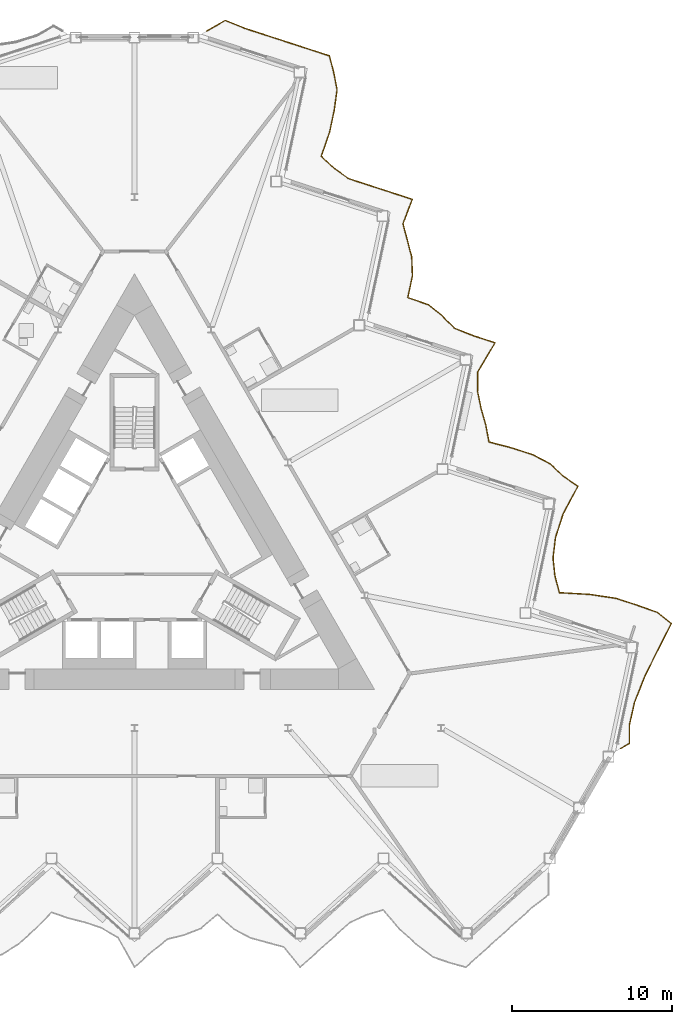
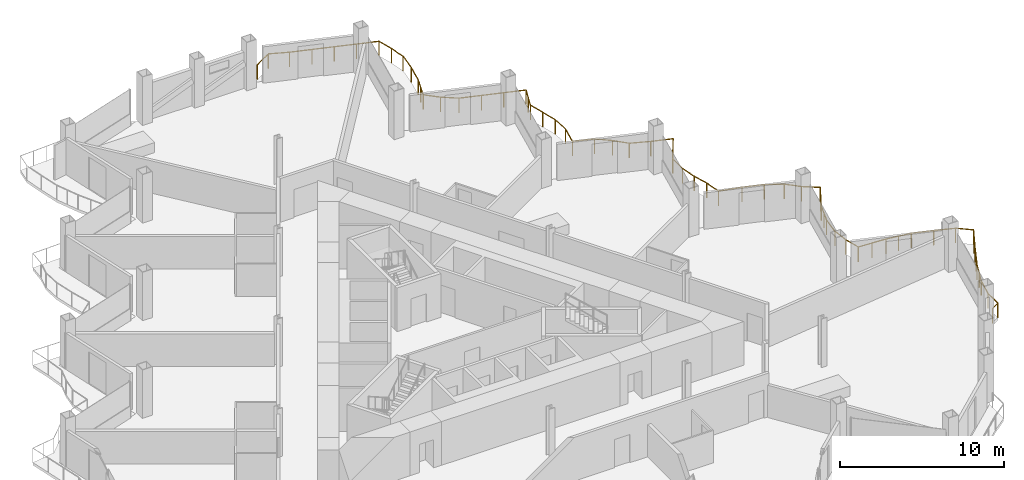
# One storey, part 21 of 23: 1 railing.
"""IFC4 building model written with IfcOpenShell, lengths in metres."""

from ifc_helpers import new_model, si_unit, direction, frame, origin, origin_2d, place, context, subcontext, project, spatial, circle, extrude, material, type_object, element, save


model = new_model("IFC4")

# Units and contexts
model_context = context("Model", 3, precision=1e-05, world=origin(), true_north=direction((0.0, 1.0)))
body_context = subcontext(model_context, "Body", "Model", "MODEL_VIEW")
ifc_project = project(units=[si_unit("LENGTHUNIT", "METRE"), si_unit("AREAUNIT", "SQUARE_METRE"), si_unit("VOLUMEUNIT", "CUBIC_METRE"), si_unit("PLANEANGLEUNIT", "RADIAN"), si_unit("MASSUNIT", "GRAM", prefix="KILO")], contexts=[model_context])

# Site, building, storey
site_placement = place(None, origin())
site = spatial("IfcSite", under=ifc_project, at=site_placement, CompositionType="ELEMENT")
building_placement = place(site_placement, origin())
building = spatial("IfcBuilding", under=site, at=building_placement, Name="Cormorant Prow Tower", CompositionType="ELEMENT")
storey_placement = place(building_placement, frame((0.0, 0.0, 245.39990234375)))
storey = spatial("IfcBuildingStorey", under=building, at=storey_placement, Name="L54", CompositionType="ELEMENT", Elevation=245.39990234375)

# Railing
ifc_material = material(Name="Aluminium 6063-T6", Category="aluminium")
railing_type = type_object("IfcRailingType", Name="Balcony guard 1100", PredefinedType="GUARDRAIL", material=ifc_material)
railing_placement = place(storey_placement, frame((30.37939453125, -12.34228515625, 0.0)))
element("IfcRailing", 1, at=railing_placement, inside=storey, type_object=railing_type, Name="Balcony guard ENE", PredefinedType="GUARDRAIL", context=body_context, shape_type="SweptSolid", body=[
    extrude(circle(Radius=0.02392578125, at=origin_2d()), frame((0.0, 0.0, 1.076171875), z_axis=(0.866204753408, 0.499689228594, 0.0), x_axis=(-0.499689228594, 0.866204753408, 0.0)), (0.0, 0.0, 1.0), 0.63623046875),
    extrude(circle(Radius=0.02392578125, at=origin_2d()), frame((0.551025390625, 0.31787109375, 1.076171875), z_axis=(0.002650887913, 0.99999648639, 0.0), x_axis=(-0.99999648639, 0.002650887913, 0.0)), (0.0, 0.0, 1.0), 1.197265625),
    extrude(circle(Radius=0.02392578125, at=origin_2d()), frame((0.55419921875, 1.51513671875, 1.076171875), z_axis=(0.220085341787, 0.975480621197, 0.0), x_axis=(-0.975480621197, 0.220085341787, 0.0)), (0.0, 0.0, 1.0), 1.40869140625),
    extrude(circle(Radius=0.02392578125, at=origin_2d()), frame((0.8642578125, 2.889404296875, 1.076171875), z_axis=(0.367163194895, 0.930156539683, 0.0), x_axis=(-0.930156539683, 0.367163194895, 0.0)), (0.0, 0.0, 1.0), 1.664306640625),
    extrude(circle(Radius=0.02392578125, at=origin_2d()), frame((1.475341796875, 4.4375, 1.076171875), z_axis=(0.440524924074, 0.897740380773, 0.0), x_axis=(-0.897740380773, 0.440524924074, 0.0)), (0.0, 0.0, 1.0), 1.857666015625),
    extrude(circle(Radius=0.02392578125, at=origin_2d()), frame((2.293701171875, 6.105224609375, 1.076171875), z_axis=(0.456399746897, 0.889774842886, 0.0), x_axis=(-0.889774842886, 0.456399746897, 0.0)), (0.0, 0.0, 1.0), 1.90869140625),
    extrude(circle(Radius=0.02392578125, at=origin_2d()), frame((3.164794921875, 7.803466796875, 1.076171875), z_axis=(-0.776161170753, 0.630534564489, 0.0), x_axis=(-0.630534564489, -0.776161170753, 0.0)), (0.0, 0.0, 1.0), 1.108154296875),
    extrude(circle(Radius=0.02392578125, at=origin_2d()), frame((2.3046875, 8.502197265625, 1.076171875), z_axis=(-0.942017958737, 0.335562461274, 0.0), x_axis=(-0.335562461274, -0.942017958737, 0.0)), (0.0, 0.0, 1.0), 1.359130859375),
    extrude(circle(Radius=0.02392578125, at=origin_2d()), frame((1.0244140625, 8.958251953125, 1.076171875), z_axis=(-0.951073984581, 0.308963227348, 0.0), x_axis=(-0.308963227348, -0.951073984581, 0.0)), (0.0, 0.0, 1.0), 1.39306640625),
    extrude(circle(Radius=0.02392578125, at=origin_2d()), frame((-0.300537109375, 9.388671875, 1.076171875), z_axis=(-0.989086538107, 0.147335739504, 0.0), x_axis=(-0.147335739504, -0.989086538107, 0.0)), (0.0, 0.0, 1.0), 1.66357421875),
    extrude(circle(Radius=0.02392578125, at=origin_2d()), frame((-1.946044921875, 9.6337890625, 1.076171875), z_axis=(-0.99835465144, 0.057340997094, 0.0), x_axis=(-0.057340997094, -0.99835465144, 0.0)), (0.0, 0.0, 1.0), 1.88623046875),
    extrude(circle(Radius=0.02392578125, at=origin_2d()), frame((-3.8291015625, 9.741943359375, 1.076171875), z_axis=(-0.259066355454, 0.965859525745, 0.0), x_axis=(-0.965859525745, -0.259066355454, 0.0)), (0.0, 0.0, 1.0), 1.071533203125),
    extrude(circle(Radius=0.02392578125, at=origin_2d()), frame((-4.106689453125, 10.77685546875, 1.076171875), z_axis=(-0.106974798109, 0.994261732427, 0.0), x_axis=(-0.994261732427, -0.106974798109, 0.0)), (0.0, 0.0, 1.0), 1.132080078125),
    extrude(circle(Radius=0.02392578125, at=origin_2d()), frame((-4.227783203125, 11.90234375, 1.076171875), z_axis=(0.120320103342, 0.992735147324, 0.0), x_axis=(-0.992735147324, 0.120320103342, 0.0)), (0.0, 0.0, 1.0), 1.294677734375),
    extrude(circle(Radius=0.02392578125, at=origin_2d()), frame((-4.072021484375, 13.1875, 1.076171875), z_axis=(0.305752765187, 0.95211094237, 0.0), x_axis=(-0.95211094237, 0.305752765187, 0.0)), (0.0, 0.0, 1.0), 1.541015625),
    extrude(circle(Radius=0.02392578125, at=origin_2d()), frame((-3.600830078125, 14.65478515625, 1.076171875), z_axis=(0.472907071696, 0.881112309266, 0.0), x_axis=(-0.881112309266, 0.472907071696, 0.0)), (0.0, 0.0, 1.0), 1.9658203125),
    extrude(circle(Radius=0.02392578125, at=origin_2d()), frame((-2.671142578125, 16.386962890625, 1.076171875), z_axis=(-0.823195618549, 0.567757847679, 0.0), x_axis=(-0.567757847679, -0.823195618549, 0.0)), (0.0, 0.0, 1.0), 1.14599609375),
    extrude(circle(Radius=0.02392578125, at=origin_2d()), frame((-3.614501953125, 17.03759765625, 1.076171875), z_axis=(-0.725298634831, 0.688434376185, 0.0), x_axis=(-0.688434376185, -0.725298634831, 0.0)), (0.0, 0.0, 1.0), 1.07958984375),
    extrude(circle(Radius=0.02392578125, at=origin_2d()), frame((-4.3974609375, 17.78076171875, 1.076171875), z_axis=(-0.883286506588, 0.468833602976, 0.0), x_axis=(-0.468833602976, -0.883286506588, 0.0)), (0.0, 0.0, 1.0), 1.22119140625),
    extrude(circle(Radius=0.02392578125, at=origin_2d()), frame((-5.47607421875, 18.353271484375, 1.076171875), z_axis=(-0.951057251471, 0.309014731726, 0.0), x_axis=(-0.309014731726, -0.951057251471, 0.0)), (0.0, 0.0, 1.0), 1.392822265625),
    extrude(circle(Radius=0.02392578125, at=origin_2d()), frame((-6.80078125, 18.78369140625, 1.076171875), z_axis=(-0.967831374767, 0.251599741687, 0.0), x_axis=(-0.251599741687, -0.967831374767, 0.0)), (0.0, 0.0, 1.0), 1.474853515625),
    extrude(circle(Radius=0.02392578125, at=origin_2d()), frame((-8.228271484375, 19.15478515625, 1.076171875), z_axis=(-0.185403804057, 0.982662418861, 0.0), x_axis=(-0.982662418861, -0.185403804057, 0.0)), (0.0, 0.0, 1.0), 1.096923828125),
    extrude(circle(Radius=0.02392578125, at=origin_2d()), frame((-8.431640625, 20.232666015625, 1.076171875), z_axis=(-0.27674611135, 0.960943073159, 0.0), x_axis=(-0.960943073159, -0.27674611135, 0.0)), (0.0, 0.0, 1.0), 1.066650390625),
    extrude(circle(Radius=0.02392578125, at=origin_2d()), frame((-8.726806640625, 21.257568359375, 1.076171875), z_axis=(-0.197620585875, 0.980278584913, 0.0), x_axis=(-0.980278584913, -0.197620585875, 0.0)), (0.0, 0.0, 1.0), 1.092041015625),
    extrude(circle(Radius=0.02392578125, at=origin_2d()), frame((-8.942626953125, 22.328125, 1.076171875), z_axis=(0.008737727797, 0.999961825328, 0.0), x_axis=(-0.999961825328, 0.008737727797, 0.0)), (0.0, 0.0, 1.0), 1.201416015625),
    extrude(circle(Radius=0.02392578125, at=origin_2d()), frame((-8.93212890625, 23.529541015625, 1.076171875), z_axis=(0.511801559716, 0.859103697741, 0.0), x_axis=(-0.859103697741, 0.511801559716, 0.0)), (0.0, 0.0, 1.0), 2.120849609375),
    extrude(circle(Radius=0.02392578125, at=origin_2d()), frame((-7.8466796875, 25.3515625, 1.076171875), z_axis=(-0.951057251471, 0.309014731726, 0.0), x_axis=(-0.309014731726, -0.951057251471, 0.0)), (0.0, 0.0, 1.0), 1.392822265625),
    extrude(circle(Radius=0.02392578125, at=origin_2d()), frame((-9.17138671875, 25.781982421875, 1.076171875), z_axis=(-0.930461790481, 0.366388941501, 0.0), x_axis=(-0.366388941501, -0.930461790481, 0.0)), (0.0, 0.0, 1.0), 1.32275390625),
    extrude(circle(Radius=0.02392578125, at=origin_2d()), frame((-10.402099609375, 26.2666015625, 1.076171875), z_axis=(-0.696859617534, 0.717207552561, 0.0), x_axis=(-0.717207552561, -0.696859617534, 0.0)), (0.0, 0.0, 1.0), 1.06787109375),
    extrude(circle(Radius=0.02392578125, at=origin_2d()), frame((-11.146240234375, 27.032470703125, 1.076171875), z_axis=(-0.779386199189, 0.626543815319, 0.0), x_axis=(-0.626543815319, -0.779386199189, 0.0)), (0.0, 0.0, 1.0), 1.110107421875),
    extrude(circle(Radius=0.02392578125, at=origin_2d()), frame((-12.011474609375, 27.72802734375, 1.076171875), z_axis=(-0.944047606344, 0.329809212966, 0.0), x_axis=(-0.329809212966, -0.944047606344, 0.0)), (0.0, 0.0, 1.0), 1.366455078125),
    extrude(circle(Radius=0.02392578125, at=origin_2d()), frame((-13.301513671875, 28.1787109375, 1.076171875), z_axis=(0.208032727926, 0.978121865675, 0.0), x_axis=(-0.978121865675, 0.208032727926, 0.0)), (0.0, 0.0, 1.0), 1.39306640625),
    extrude(circle(Radius=0.02392578125, at=origin_2d()), frame((-13.01171875, 29.541259765625, 1.076171875), z_axis=(-0.038176741848, 0.999271002472, 0.0), x_axis=(-0.999271002472, -0.038176741848, 0.0)), (0.0, 0.0, 1.0), 1.170166015625),
    extrude(circle(Radius=0.02392578125, at=origin_2d()), frame((-13.056396484375, 30.710693359375, 1.076171875), z_axis=(-0.25269039223, 0.967547190412, 0.0), x_axis=(-0.967547190412, -0.25269039223, 0.0)), (0.0, 0.0, 1.0), 1.073486328125),
    extrude(circle(Radius=0.02392578125, at=origin_2d()), frame((-13.32763671875, 31.749267578125, 1.076171875), z_axis=(-0.256812329008, 0.966461291346, 0.0), x_axis=(-0.966461291346, -0.256812329008, 0.0)), (0.0, 0.0, 1.0), 1.072265625),
    extrude(circle(Radius=0.02392578125, at=origin_2d()), frame((-13.60302734375, 32.78564453125, 1.076171875), z_axis=(0.354667722284, 0.934992410007, 0.0), x_axis=(-0.934992410007, 0.354667722284, 0.0)), (0.0, 0.0, 1.0), 1.636962890625),
    extrude(circle(Radius=0.02392578125, at=origin_2d()), frame((-13.0224609375, 34.316162109375, 1.076171875), z_axis=(-0.951057251471, 0.309014731726, 0.0), x_axis=(-0.309014731726, -0.951057251471, 0.0)), (0.0, 0.0, 1.0), 1.392822265625),
    extrude(circle(Radius=0.02392578125, at=origin_2d()), frame((-14.34716796875, 34.74658203125, 1.076171875), z_axis=(-0.951057251471, 0.309014731726, 0.0), x_axis=(-0.309014731726, -0.951057251471, 0.0)), (0.0, 0.0, 1.0), 1.392822265625),
    extrude(circle(Radius=0.02392578125, at=origin_2d()), frame((-15.671875, 35.177001953125, 1.076171875), z_axis=(-0.951057251471, 0.309014731726, 0.0), x_axis=(-0.309014731726, -0.951057251471, 0.0)), (0.0, 0.0, 1.0), 1.392822265625),
    extrude(circle(Radius=0.02392578125, at=origin_2d()), frame((-16.99658203125, 35.607421875, 1.076171875), z_axis=(-0.814977832879, 0.579492132747, 0.0), x_axis=(-0.579492132747, -0.814977832879, 0.0)), (0.0, 0.0, 1.0), 1.138427734375),
    extrude(circle(Radius=0.02392578125, at=origin_2d()), frame((-17.92431640625, 36.26708984375, 1.076171875), z_axis=(-0.727695719565, 0.685900094567, 0.0), x_axis=(-0.685900094567, -0.727695719565, 0.0)), (0.0, 0.0, 1.0), 1.08056640625),
    extrude(circle(Radius=0.02392578125, at=origin_2d()), frame((-18.710693359375, 37.00830078125, 1.076171875), z_axis=(0.329863576725, 0.944028612252, 0.0), x_axis=(-0.944028612252, 0.329863576725, 0.0)), (0.0, 0.0, 1.0), 1.586181640625),
    extrude(circle(Radius=0.02392578125, at=origin_2d()), frame((-18.1875, 38.505615234375, 1.076171875), z_axis=(0.207865044312, 0.978157514592, 0.0), x_axis=(-0.978157514592, 0.207865044312, 0.0)), (0.0, 0.0, 1.0), 1.39306640625),
    extrude(circle(Radius=0.02392578125, at=origin_2d()), frame((-17.89794921875, 39.8681640625, 1.076171875), z_axis=(0.134838558459, 0.990867581038, 0.0), x_axis=(-0.990867581038, 0.134838558459, 0.0)), (0.0, 0.0, 1.0), 1.30908203125),
    extrude(circle(Radius=0.02392578125, at=origin_2d()), frame((-17.721435546875, 41.165283203125, 1.076171875), z_axis=(-0.189938725349, 0.981795946525, 0.0), x_axis=(-0.981795946525, -0.189938725349, 0.0)), (0.0, 0.0, 1.0), 1.09521484375),
    extrude(circle(Radius=0.02392578125, at=origin_2d()), frame((-17.929443359375, 42.240478515625, 1.076171875), z_axis=(-0.250173509291, 0.968201020062, 0.0), x_axis=(-0.968201020062, -0.250173509291, 0.0)), (0.0, 0.0, 1.0), 1.074462890625),
    extrude(circle(Radius=0.02392578125, at=origin_2d()), frame((-18.1982421875, 43.28076171875, 1.076171875), z_axis=(-0.951057251471, 0.309014731726, 0.0), x_axis=(-0.309014731726, -0.951057251471, 0.0)), (0.0, 0.0, 1.0), 1.392822265625),
    extrude(circle(Radius=0.02392578125, at=origin_2d()), frame((-19.52294921875, 43.711181640625, 1.076171875), z_axis=(-0.951057251471, 0.309014731726, 0.0), x_axis=(-0.309014731726, -0.951057251471, 0.0)), (0.0, 0.0, 1.0), 1.392822265625),
    extrude(circle(Radius=0.02392578125, at=origin_2d()), frame((-20.84765625, 44.1416015625, 1.076171875), z_axis=(-0.951057251471, 0.309014731726, 0.0), x_axis=(-0.309014731726, -0.951057251471, 0.0)), (0.0, 0.0, 1.0), 1.392822265625),
    extrude(circle(Radius=0.02392578125, at=origin_2d()), frame((-22.17236328125, 44.572021484375, 1.076171875), z_axis=(-0.951073984581, 0.308963227348, 0.0), x_axis=(-0.308963227348, -0.951073984581, 0.0)), (0.0, 0.0, 1.0), 1.39306640625),
    extrude(circle(Radius=0.02392578125, at=origin_2d()), frame((-23.497314453125, 45.00244140625, 1.076171875), z_axis=(-0.926434113038, 0.376456948666, 0.0), x_axis=(-0.376456948666, -0.926434113038, 0.0)), (0.0, 0.0, 1.0), 1.311279296875),
    extrude(circle(Radius=0.02392578125, at=origin_2d()), frame((-24.712158203125, 45.49609375, 1.076171875), z_axis=(-0.866104076882, -0.499863709433, 0.0), x_axis=(0.499863709433, -0.866104076882, 0.0)), (0.0, 0.0, 1.0), 1.3466796875),
    extrude(circle(Radius=0.02099609375, at=origin_2d()), origin(), (0.0, 0.0, 1.0), 1.052001953125),
    extrude(circle(Radius=0.02099609375, at=origin_2d()), frame((0.551025390625, 0.31787109375, 0.0)), (0.0, 0.0, 1.0), 1.052001953125),
    extrude(circle(Radius=0.02099609375, at=origin_2d()), frame((0.55419921875, 1.51513671875, 0.0)), (0.0, 0.0, 1.0), 1.052001953125),
    extrude(circle(Radius=0.02099609375, at=origin_2d()), frame((0.8642578125, 2.889404296875, 0.0)), (0.0, 0.0, 1.0), 1.052001953125),
    extrude(circle(Radius=0.02099609375, at=origin_2d()), frame((1.169921875, 3.66357421875, 0.0)), (0.0, 0.0, 1.0), 1.052001953125),
    extrude(circle(Radius=0.02099609375, at=origin_2d()), frame((1.475341796875, 4.4375, 0.0)), (0.0, 0.0, 1.0), 1.052001953125),
    extrude(circle(Radius=0.02099609375, at=origin_2d()), frame((1.884521484375, 5.271484375, 0.0)), (0.0, 0.0, 1.0), 1.052001953125),
    extrude(circle(Radius=0.02099609375, at=origin_2d()), frame((2.293701171875, 6.105224609375, 0.0)), (0.0, 0.0, 1.0), 1.052001953125),
    extrude(circle(Radius=0.02099609375, at=origin_2d()), frame((2.729248046875, 6.954345703125, 0.0)), (0.0, 0.0, 1.0), 1.052001953125),
    extrude(circle(Radius=0.02099609375, at=origin_2d()), frame((3.164794921875, 7.803466796875, 0.0)), (0.0, 0.0, 1.0), 1.052001953125),
    extrude(circle(Radius=0.02099609375, at=origin_2d()), frame((2.3046875, 8.502197265625, 0.0)), (0.0, 0.0, 1.0), 1.052001953125),
    extrude(circle(Radius=0.02099609375, at=origin_2d()), frame((1.0244140625, 8.958251953125, 0.0)), (0.0, 0.0, 1.0), 1.052001953125),
    extrude(circle(Radius=0.02099609375, at=origin_2d()), frame((-0.300537109375, 9.388671875, 0.0)), (0.0, 0.0, 1.0), 1.052001953125),
    extrude(circle(Radius=0.02099609375, at=origin_2d()), frame((-1.123291015625, 9.51123046875, 0.0)), (0.0, 0.0, 1.0), 1.052001953125),
    extrude(circle(Radius=0.02099609375, at=origin_2d()), frame((-1.946044921875, 9.6337890625, 0.0)), (0.0, 0.0, 1.0), 1.052001953125),
    extrude(circle(Radius=0.02099609375, at=origin_2d()), frame((-2.8876953125, 9.68798828125, 0.0)), (0.0, 0.0, 1.0), 1.052001953125),
    extrude(circle(Radius=0.02099609375, at=origin_2d()), frame((-3.8291015625, 9.741943359375, 0.0)), (0.0, 0.0, 1.0), 1.052001953125),
    extrude(circle(Radius=0.02099609375, at=origin_2d()), frame((-4.106689453125, 10.77685546875, 0.0)), (0.0, 0.0, 1.0), 1.052001953125),
    extrude(circle(Radius=0.02099609375, at=origin_2d()), frame((-4.227783203125, 11.90234375, 0.0)), (0.0, 0.0, 1.0), 1.052001953125),
    extrude(circle(Radius=0.02099609375, at=origin_2d()), frame((-4.072021484375, 13.1875, 0.0)), (0.0, 0.0, 1.0), 1.052001953125),
    extrude(circle(Radius=0.02099609375, at=origin_2d()), frame((-3.83642578125, 13.921142578125, 0.0)), (0.0, 0.0, 1.0), 1.052001953125),
    extrude(circle(Radius=0.02099609375, at=origin_2d()), frame((-3.600830078125, 14.65478515625, 0.0)), (0.0, 0.0, 1.0), 1.052001953125),
    extrude(circle(Radius=0.02099609375, at=origin_2d()), frame((-3.135986328125, 15.52099609375, 0.0)), (0.0, 0.0, 1.0), 1.052001953125),
    extrude(circle(Radius=0.02099609375, at=origin_2d()), frame((-2.671142578125, 16.386962890625, 0.0)), (0.0, 0.0, 1.0), 1.052001953125),
    extrude(circle(Radius=0.02099609375, at=origin_2d()), frame((-3.614501953125, 17.03759765625, 0.0)), (0.0, 0.0, 1.0), 1.052001953125),
    extrude(circle(Radius=0.02099609375, at=origin_2d()), frame((-4.3974609375, 17.78076171875, 0.0)), (0.0, 0.0, 1.0), 1.052001953125),
    extrude(circle(Radius=0.02099609375, at=origin_2d()), frame((-5.47607421875, 18.353271484375, 0.0)), (0.0, 0.0, 1.0), 1.052001953125),
    extrude(circle(Radius=0.02099609375, at=origin_2d()), frame((-6.80078125, 18.78369140625, 0.0)), (0.0, 0.0, 1.0), 1.052001953125),
    extrude(circle(Radius=0.02099609375, at=origin_2d()), frame((-8.228271484375, 19.15478515625, 0.0)), (0.0, 0.0, 1.0), 1.052001953125),
    extrude(circle(Radius=0.02099609375, at=origin_2d()), frame((-8.431640625, 20.232666015625, 0.0)), (0.0, 0.0, 1.0), 1.052001953125),
    extrude(circle(Radius=0.02099609375, at=origin_2d()), frame((-8.726806640625, 21.257568359375, 0.0)), (0.0, 0.0, 1.0), 1.052001953125),
    extrude(circle(Radius=0.02099609375, at=origin_2d()), frame((-8.942626953125, 22.328125, 0.0)), (0.0, 0.0, 1.0), 1.052001953125),
    extrude(circle(Radius=0.02099609375, at=origin_2d()), frame((-8.93212890625, 23.529541015625, 0.0)), (0.0, 0.0, 1.0), 1.052001953125),
    extrude(circle(Radius=0.02099609375, at=origin_2d()), frame((-8.389404296875, 24.4404296875, 0.0)), (0.0, 0.0, 1.0), 1.052001953125),
    extrude(circle(Radius=0.02099609375, at=origin_2d()), frame((-7.8466796875, 25.3515625, 0.0)), (0.0, 0.0, 1.0), 1.052001953125),
    extrude(circle(Radius=0.02099609375, at=origin_2d()), frame((-9.17138671875, 25.781982421875, 0.0)), (0.0, 0.0, 1.0), 1.052001953125),
    extrude(circle(Radius=0.02099609375, at=origin_2d()), frame((-10.402099609375, 26.2666015625, 0.0)), (0.0, 0.0, 1.0), 1.052001953125),
    extrude(circle(Radius=0.02099609375, at=origin_2d()), frame((-11.146240234375, 27.032470703125, 0.0)), (0.0, 0.0, 1.0), 1.052001953125),
    extrude(circle(Radius=0.02099609375, at=origin_2d()), frame((-12.011474609375, 27.72802734375, 0.0)), (0.0, 0.0, 1.0), 1.052001953125),
    extrude(circle(Radius=0.02099609375, at=origin_2d()), frame((-13.301513671875, 28.1787109375, 0.0)), (0.0, 0.0, 1.0), 1.052001953125),
    extrude(circle(Radius=0.02099609375, at=origin_2d()), frame((-13.01171875, 29.541259765625, 0.0)), (0.0, 0.0, 1.0), 1.052001953125),
    extrude(circle(Radius=0.02099609375, at=origin_2d()), frame((-13.056396484375, 30.710693359375, 0.0)), (0.0, 0.0, 1.0), 1.052001953125),
    extrude(circle(Radius=0.02099609375, at=origin_2d()), frame((-13.32763671875, 31.749267578125, 0.0)), (0.0, 0.0, 1.0), 1.052001953125),
    extrude(circle(Radius=0.02099609375, at=origin_2d()), frame((-13.60302734375, 32.78564453125, 0.0)), (0.0, 0.0, 1.0), 1.052001953125),
    extrude(circle(Radius=0.02099609375, at=origin_2d()), frame((-13.312744140625, 33.55078125, 0.0)), (0.0, 0.0, 1.0), 1.052001953125),
    extrude(circle(Radius=0.02099609375, at=origin_2d()), frame((-13.0224609375, 34.316162109375, 0.0)), (0.0, 0.0, 1.0), 1.052001953125),
    extrude(circle(Radius=0.02099609375, at=origin_2d()), frame((-14.34716796875, 34.74658203125, 0.0)), (0.0, 0.0, 1.0), 1.052001953125),
    extrude(circle(Radius=0.02099609375, at=origin_2d()), frame((-15.671875, 35.177001953125, 0.0)), (0.0, 0.0, 1.0), 1.052001953125),
    extrude(circle(Radius=0.02099609375, at=origin_2d()), frame((-16.99658203125, 35.607421875, 0.0)), (0.0, 0.0, 1.0), 1.052001953125),
    extrude(circle(Radius=0.02099609375, at=origin_2d()), frame((-17.92431640625, 36.26708984375, 0.0)), (0.0, 0.0, 1.0), 1.052001953125),
    extrude(circle(Radius=0.02099609375, at=origin_2d()), frame((-18.710693359375, 37.00830078125, 0.0)), (0.0, 0.0, 1.0), 1.052001953125),
    extrude(circle(Radius=0.02099609375, at=origin_2d()), frame((-18.44921875, 37.7568359375, 0.0)), (0.0, 0.0, 1.0), 1.052001953125),
    extrude(circle(Radius=0.02099609375, at=origin_2d()), frame((-18.1875, 38.505615234375, 0.0)), (0.0, 0.0, 1.0), 1.052001953125),
    extrude(circle(Radius=0.02099609375, at=origin_2d()), frame((-17.89794921875, 39.8681640625, 0.0)), (0.0, 0.0, 1.0), 1.052001953125),
    extrude(circle(Radius=0.02099609375, at=origin_2d()), frame((-17.721435546875, 41.165283203125, 0.0)), (0.0, 0.0, 1.0), 1.052001953125),
    extrude(circle(Radius=0.02099609375, at=origin_2d()), frame((-17.929443359375, 42.240478515625, 0.0)), (0.0, 0.0, 1.0), 1.052001953125),
    extrude(circle(Radius=0.02099609375, at=origin_2d()), frame((-18.1982421875, 43.28076171875, 0.0)), (0.0, 0.0, 1.0), 1.052001953125),
    extrude(circle(Radius=0.02099609375, at=origin_2d()), frame((-19.52294921875, 43.711181640625, 0.0)), (0.0, 0.0, 1.0), 1.052001953125),
    extrude(circle(Radius=0.02099609375, at=origin_2d()), frame((-20.84765625, 44.1416015625, 0.0)), (0.0, 0.0, 1.0), 1.052001953125),
    extrude(circle(Radius=0.02099609375, at=origin_2d()), frame((-22.17236328125, 44.572021484375, 0.0)), (0.0, 0.0, 1.0), 1.052001953125),
    extrude(circle(Radius=0.02099609375, at=origin_2d()), frame((-23.497314453125, 45.00244140625, 0.0)), (0.0, 0.0, 1.0), 1.052001953125),
    extrude(circle(Radius=0.02099609375, at=origin_2d()), frame((-24.712158203125, 45.49609375, 0.0)), (0.0, 0.0, 1.0), 1.052001953125),
    extrude(circle(Radius=0.02099609375, at=origin_2d()), frame((-25.87841796875, 44.822998046875, 0.0)), (0.0, 0.0, 1.0), 1.052001953125),
])

save(model, "model.ifc")
